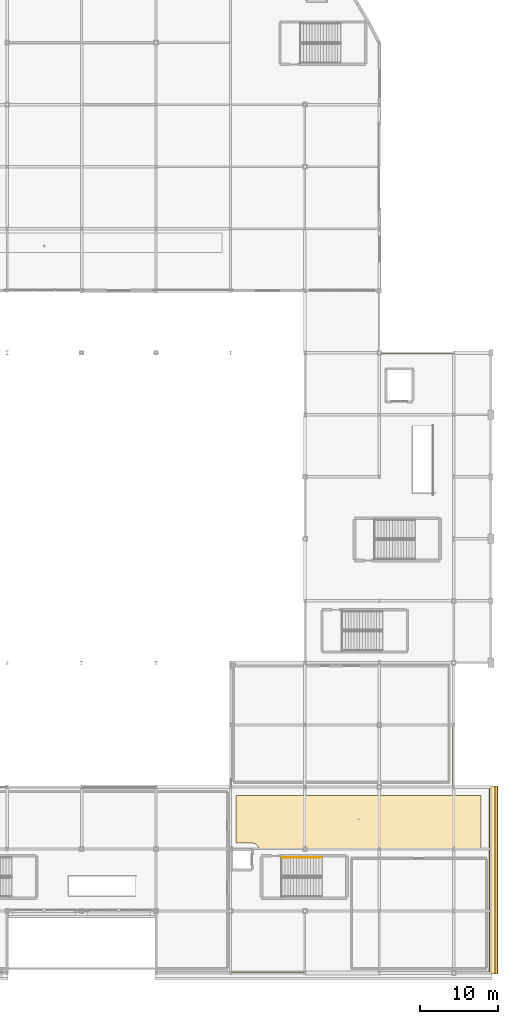
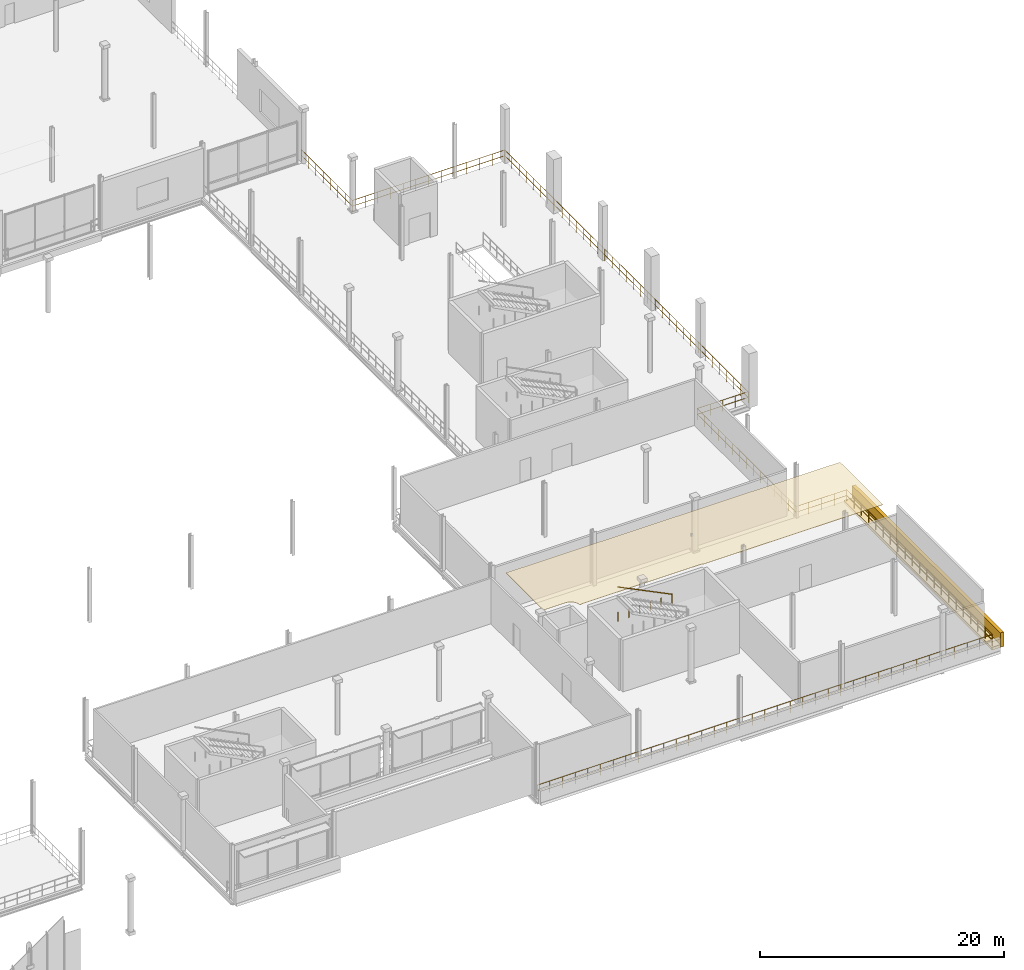
# One storey, part 121 of 129: 3 coverings, 2 railings.
"""IFC4 building model written with IfcOpenShell, lengths in metres."""

import ifcopenshell
import ifcopenshell.guid

model = None  # the IFC model being written
_history = None  # IfcOwnerHistory: only IFC2X3 demands one
_inside = {}  # id of a spatial element -> (the spatial element, [elements in it])
_under = {}  # id of a project, library or spatial element -> (it, [spatial elements below it])
_declared = {}  # id of a project -> (the project, [libraries it declares])
_typed = {}  # id of a type object -> (the type object, [elements of that type])
_made_of = {}  # id of a material, layer set ... -> (it, [elements and type objects made of it])


def new_model(schema):
    """Start an empty IFC model of exactly this schema.

    Asked for "IFC4X3", IfcOpenShell would pick the latest addendum, in which some entities
    have other attributes; the version numbers below select the first issue.
    IFC2X3 requires an IfcOwnerHistory on every rooted entity: one is made here for all.
    """
    global model, _history
    if schema == "IFC4X3":
        model = ifcopenshell.file(schema_version=(4, 3, 0, 0))
    else:
        model = ifcopenshell.file(schema=schema)
    _inside.clear()
    _under.clear()
    _declared.clear()
    _typed.clear()
    _made_of.clear()
    _history = None
    if model.schema == "IFC2X3":
        org = make("IfcOrganization", Name="unknown")
        user = make(
            "IfcPersonAndOrganization",
            ThePerson=make("IfcPerson", FamilyName="unknown"),
            TheOrganization=org,
        )
        app = make(
            "IfcApplication",
            ApplicationDeveloper=org,
            Version="unknown",
            ApplicationFullName="unknown",
            ApplicationIdentifier="unknown",
        )
        _history = make(
            "IfcOwnerHistory",
            OwningUser=user,
            OwningApplication=app,
            ChangeAction="ADDED",
            CreationDate=0,
        )
    return model


def make(cls, **values):
    """One entity of the class cls with the attributes given. An attribute that is None is left unset."""
    return model.create_entity(
        cls, **{name: value for name, value in values.items() if value is not None}
    )


def rooted(cls, **values):
    """An entity with a GlobalId (a new one), such as an element, a storey or a relation."""
    return make(cls, GlobalId=ifcopenshell.guid.new(), OwnerHistory=_history, **values)


def si_unit(unit_type, name, prefix=None):
    """IfcSIUnit, for example si_unit("LENGTHUNIT", "METRE", prefix="MILLI")."""
    return make("IfcSIUnit", UnitType=unit_type, Prefix=prefix, Name=name)


def assignment(units):
    """IfcUnitAssignment: the units of a project."""
    return None if units is None else make("IfcUnitAssignment", Units=units)


def point(xyz):
    """IfcCartesianPoint."""
    return None if xyz is None else make("IfcCartesianPoint", Coordinates=xyz)


def direction(xyz):
    """IfcDirection."""
    return None if xyz is None else make("IfcDirection", DirectionRatios=xyz)


def frame(location, z_axis=None, x_axis=None):
    """IfcAxis2Placement3D, a coordinate frame: its origin and axes. An axis left out is left unset."""
    return make(
        "IfcAxis2Placement3D",
        Location=point(location),
        Axis=direction(z_axis),
        RefDirection=direction(x_axis),
    )


def frame_2d(location, x_axis=None):
    """IfcAxis2Placement2D, a coordinate frame in the plane: its origin and x axis."""
    return make(
        "IfcAxis2Placement2D", Location=point(location), RefDirection=direction(x_axis)
    )


def origin():
    """The frame at (0, 0, 0) with its axes left unset."""
    return frame((0.0, 0.0, 0.0))


def origin_2d():
    """The frame at (0, 0) in the plane with its x axis left unset."""
    return frame_2d((0.0, 0.0))


def place(relative_to, where):
    """IfcLocalPlacement: puts the frame where relative to a parent placement (None: the world)."""
    return make(
        "IfcLocalPlacement", PlacementRelTo=relative_to, RelativePlacement=where
    )


def context(
    kind, dimensions, precision=None, world=None, true_north=None, identifier=None
):
    """IfcGeometricRepresentationContext, for example the 3D "Model" context."""
    return make(
        "IfcGeometricRepresentationContext",
        ContextIdentifier=identifier,
        ContextType=kind,
        CoordinateSpaceDimension=dimensions,
        Precision=precision,
        WorldCoordinateSystem=world,
        TrueNorth=true_north,
    )


def subcontext(parent, identifier, kind, view, scale=None):
    """IfcGeometricRepresentationSubContext, for example "Body" below "Model"."""
    return make(
        "IfcGeometricRepresentationSubContext",
        ContextIdentifier=identifier,
        ContextType=kind,
        ParentContext=parent,
        TargetScale=scale,
        TargetView=view,
    )


def project(units=None, contexts=None):
    """IfcProject with its units and contexts."""
    return rooted(
        "IfcProject",
        Name="project",
        RepresentationContexts=contexts,
        UnitsInContext=assignment(units),
    )


def spatial(cls, under=None, at=None, **own):
    """A site, building, storey or space (cls), placed at a placement, below another one or the project."""
    s = rooted(cls, ObjectPlacement=at, **own)
    if under is not None:
        _under.setdefault(under.id(), (under, []))[1].append(s)
    return s


def polyline(points):
    """IfcPolyline through the points."""
    return make("IfcPolyline", Points=[point(p) for p in points])


def profile(cls, at=None, kind="AREA", **sizes):
    """A parametric profile (cls). Its sizes go by their IFC names, for example OverallWidth=200.0."""
    return make(cls, ProfileType=kind, Position=at, **sizes)


def rectangle(**sizes):
    """IfcRectangleProfileDef."""
    return profile("IfcRectangleProfileDef", **sizes)


def circle(**sizes):
    """IfcCircleProfileDef."""
    return profile("IfcCircleProfileDef", **sizes)


def outline(outer, holes=None, kind="AREA"):
    """IfcArbitraryClosedProfileDef: a profile drawn as a closed curve; with holes, ...WithVoids."""
    if holes is None:
        return make("IfcArbitraryClosedProfileDef", ProfileType=kind, OuterCurve=outer)
    return make(
        "IfcArbitraryProfileDefWithVoids",
        ProfileType=kind,
        OuterCurve=outer,
        InnerCurves=holes,
    )


def extrude(swept, where, along, depth):
    """IfcExtrudedAreaSolid: the profile swept, set in the frame where, extruded along a direction by depth."""
    return make(
        "IfcExtrudedAreaSolid",
        SweptArea=swept,
        Position=where,
        ExtrudedDirection=direction(along),
        Depth=depth,
    )


def shape(context_of_items, identifier, shape_type, items):
    """IfcShapeRepresentation: the items that make up one representation, for example the "Body"."""
    return make(
        "IfcShapeRepresentation",
        ContextOfItems=context_of_items,
        RepresentationIdentifier=identifier,
        RepresentationType=shape_type,
        Items=items,
    )


def material(Name=None, Category=None):
    """IfcMaterial."""
    return make("IfcMaterial", Name=Name, Category=Category)


def layer(
    of_material, thickness, ventilated=None, Name=None, Category=None, Priority=None
):
    """IfcMaterialLayer: one layer of a wall or slab, of a material (None: an air gap)."""
    return make(
        "IfcMaterialLayer",
        Material=of_material,
        LayerThickness=thickness,
        IsVentilated=ventilated,
        Name=Name,
        Category=Category,
        Priority=Priority,
    )


def layer_set(layers, Name=None):
    """IfcMaterialLayerSet."""
    return make("IfcMaterialLayerSet", MaterialLayers=layers, LayerSetName=Name)


def made_of(thing, what):
    """Note that an element or type object is made of a material, layer set ...; save() writes the relation."""
    if what is not None:
        _made_of.setdefault(what.id(), (what, []))[1].append(thing)
    return thing


def type_object(cls, material=None, **own):
    """A type object (cls), such as IfcWallType, which elements share."""
    return made_of(rooted(cls, **own), material)


def element(
    cls,
    number,
    at=None,
    inside=None,
    cuts=None,
    type_object=None,
    material=None,
    context=None,
    identifier="Body",
    shape_type=None,
    held_by="IfcProductDefinitionShape",
    body=None,
    shapes=None,
    **own,
):
    """One element of the class cls, such as IfcWall. Its Tag is "e" and its number.

    at: its placement. inside: the storey or other place that contains it. cuts: it is an
    opening in that element (IfcRelVoidsElement). A single representation is given by context,
    identifier, shape_type and body (its items); several are given by shapes. held_by: the class
    of the entity that holds the representations. save() writes the other relations.
    """
    e = rooted(cls, Tag="e%d" % number, ObjectPlacement=at, **own)
    if body is not None:
        shapes = [shape(context, identifier, shape_type, body)]
    if shapes is not None:
        e.Representation = make(held_by, Representations=shapes)
    if inside is not None:
        _inside.setdefault(inside.id(), (inside, []))[1].append(e)
    if cuts is not None:
        rooted(
            "IfcRelVoidsElement", RelatingBuildingElement=cuts, RelatedOpeningElement=e
        )
    if type_object is not None:
        _typed.setdefault(type_object.id(), (type_object, []))[1].append(e)
    return made_of(e, material)


def aggregate(whole, parts):
    """IfcRelAggregates: a whole, such as a stair, and the parts it consists of."""
    return rooted("IfcRelAggregates", RelatingObject=whole, RelatedObjects=parts)


def save(model, path):
    """Write the relations noted so far, then the file.

    IfcRelAggregates (storeys below a building ...), IfcRelContainedInSpatialStructure (elements
    in a storey), IfcRelDefinesByType, IfcRelAssociatesMaterial and IfcRelDeclares: one each for
    every whole, place, type object, material and project.
    """
    for whole, parts in _under.values():
        aggregate(whole, parts)
    for where, things in _inside.values():
        rooted(
            "IfcRelContainedInSpatialStructure",
            RelatedElements=things,
            RelatingStructure=where,
        )
    for kind, things in _typed.values():
        rooted("IfcRelDefinesByType", RelatedObjects=things, RelatingType=kind)
    for what, things in _made_of.values():
        rooted("IfcRelAssociatesMaterial", RelatedObjects=things, RelatingMaterial=what)
    for by, libraries in _declared.values():
        rooted("IfcRelDeclares", RelatingContext=by, RelatedDefinitions=libraries)
    model.write(path)


model = new_model("IFC4")

# Units and contexts
model_context = context("Model", 3, precision=1e-05, world=origin(), true_north=direction((0.0, 1.0)))
body_context = subcontext(model_context, "Body", "Model", "MODEL_VIEW")
ifc_project = project(units=[si_unit("LENGTHUNIT", "METRE"), si_unit("AREAUNIT", "SQUARE_METRE"), si_unit("VOLUMEUNIT", "CUBIC_METRE"), si_unit("PLANEANGLEUNIT", "RADIAN"), si_unit("MASSUNIT", "GRAM", prefix="KILO")], contexts=[model_context])

# Site, building, storey
site_placement = place(None, origin())
site = spatial("IfcSite", under=ifc_project, at=site_placement, CompositionType="ELEMENT")
building_placement = place(site_placement, origin())
building = spatial("IfcBuilding", under=site, at=building_placement, Name="Danafjord Basin Convention Centre", CompositionType="ELEMENT")
storey_placement = place(building_placement, frame((0.0, 0.0, 6.0)))
storey = spatial("IfcBuildingStorey", under=building, at=storey_placement, Name="L01", CompositionType="ELEMENT", Elevation=6.0)

# Coverings
ifc_material_1 = material(Name="Architectural white precast concrete C45/55", Category="concrete")
ifc_layer_1 = layer(ifc_material_1, 0.320068359375)
ifc_layer_set_1 = layer_set([ifc_layer_1], Name="Architectural white precast concrete C45/55")
covering_type_1 = type_object("IfcCoveringType", Name="COV-BAND-HORIZ", PredefinedType="CLADDING", material=ifc_layer_set_1)
covering_1_placement = place(storey_placement, frame((216.324951171875, 12.0, -0.27978515625), z_axis=(0.0, 0.0, 1.0), x_axis=(0.0, 1.0, 0.0)))
element("IfcCovering", 1, at=covering_1_placement, inside=storey, type_object=covering_type_1, Name="L01 stepped horizontal band soffit plate 62", PredefinedType="CLADDING", context=body_context, shape_type="SweptSolid", body=[
    extrude(rectangle(XDim=24.239990234375, YDim=1.14990234375, at=origin_2d()), origin(), (0.0, 0.0, 1.0), 0.280029296875),
])
covering_2_placement = place(storey_placement, frame((216.7099609375, 12.0, -0.239990234375), z_axis=(0.0, 0.0, 1.0), x_axis=(0.0, 1.0, 0.0)))
element("IfcCovering", 2, at=covering_2_placement, inside=storey, type_object=covering_type_1, Name="L01 layered horizontal white spandrel band 62", PredefinedType="CLADDING", context=body_context, shape_type="SweptSolid", body=[
    extrude(rectangle(XDim=24.280029296875, YDim=0.320068359375, at=origin_2d()), origin(), (0.0, 0.0, 1.0), 1.419921875),
])
ifc_material_2 = material(Name="Perforated Nordic birch acoustic slats")
ifc_layer_2 = layer(ifc_material_2, 0.0400390625)
ifc_layer_set_2 = layer_set([ifc_layer_2], Name="Perforated Nordic birch acoustic slats")
covering_type_2 = type_object("IfcCoveringType", Name="COV-CLG-AC01", PredefinedType="CEILING", material=ifc_layer_set_2)
covering_3_placement = place(storey_placement, frame((0.0, 0.0, 4.889892578125)))
element("IfcCovering", 3, at=covering_3_placement, inside=storey, type_object=covering_type_2, Name="Level 1 East Pavilion Foyer acoustic ceiling", PredefinedType="CEILING", context=body_context, shape_type="SweptSolid", body=[
    extrude(outline(polyline([(183.10009765625, 22.89990234375), (214.699951171875, 22.89990234375), (214.699951171875, 15.89990234375), (197.77587890625, 15.89990234375), (197.721923828125, 15.922119140625), (197.70703125, 15.927001953125), (197.666015625, 15.93896484375), (197.65087890625, 15.943115234375), (197.56396484375, 15.9609375), (197.549072265625, 15.962890625), (197.5, 15.968017578125), (197.48388671875, 15.968994140625), (197.43994140625, 15.969970703125), (186.39990234375, 15.969970703125), (186.35595703125, 15.968994140625), (186.340087890625, 15.968017578125), (186.291015625, 15.962890625), (186.27587890625, 15.9609375), (186.18896484375, 15.943115234375), (186.174072265625, 15.93896484375), (186.133056640625, 15.927001953125), (186.117919921875, 15.922119140625), (186.06396484375, 15.89990234375), (186.06005859375, 15.89990234375), (186.05908203125, 15.944091796875), (186.05810546875, 15.9599609375), (186.052978515625, 16.009033203125), (186.051025390625, 16.02392578125), (186.032958984375, 16.111083984375), (186.029052734375, 16.1259765625), (186.01708984375, 16.1669921875), (186.011962890625, 16.181884765625), (185.97412109375, 16.27392578125), (185.967041015625, 16.2880859375), (185.948974609375, 16.322021484375), (185.94091796875, 16.3359375), (185.908935546875, 16.386962890625), (185.89990234375, 16.39990234375), (185.861083984375, 16.450927734375), (185.819091796875, 16.4970703125), (185.80810546875, 16.508056640625), (185.797119140625, 16.51904296875), (185.7509765625, 16.56103515625), (185.699951171875, 16.60009765625), (185.68701171875, 16.60888671875), (185.635986328125, 16.64111328125), (185.6220703125, 16.64892578125), (185.587890625, 16.6669921875), (185.573974609375, 16.674072265625), (185.48193359375, 16.7119140625), (185.467041015625, 16.717041015625), (185.426025390625, 16.72900390625), (185.410888671875, 16.73291015625), (185.323974609375, 16.7509765625), (185.30908203125, 16.7529296875), (185.260009765625, 16.758056640625), (185.243896484375, 16.759033203125), (185.199951171875, 16.760009765625), (183.10009765625, 16.760009765625), (183.10009765625, 22.89990234375)])), origin(), (0.0, 0.0, 1.0), 0.0400390625),
])

# Railings
ifc_material_3 = material(Name="Laminated structural glass and stainless steel", Category="steel")
railing_type_1 = type_object("IfcRailingType", Name="RL-BAL-GLS", PredefinedType="BALUSTRADE", material=ifc_material_3)
railing_1_placement = place(storey_placement, frame((201.52001953125, 88.280029296875, 0.0)))
element("IfcRailing", 4, at=railing_1_placement, inside=storey, type_object=railing_type_1, Name="L01 safety guard balustrade 16", PredefinedType="BALUSTRADE", context=body_context, shape_type="SweptSolid", body=[
    extrude(circle(Radius=0.02392578125, at=origin_2d()), frame((0.0, 0.0, 1.1259765625), z_axis=(0.0, -1.0, 0.0), x_axis=(1.0, 0.0, 0.0)), (0.0, 0.0, 1.0), 8.360107421875),
    extrude(circle(Radius=0.02392578125, at=origin_2d()), frame((0.0, 0.0, 0.55078125), z_axis=(0.0, -1.0, 0.0), x_axis=(1.0, 0.0, 0.0)), (0.0, 0.0, 1.0), 8.360107421875),
    extrude(circle(Radius=0.02392578125, at=origin_2d()), frame((0.0, -8.360107421875, 1.1259765625), z_axis=(1.0, 0.0, 0.0), x_axis=(0.0, 1.0, 0.0)), (0.0, 0.0, 1.0), 14.39990234375),
    extrude(circle(Radius=0.02392578125, at=origin_2d()), frame((0.0, -8.360107421875, 0.55078125), z_axis=(1.0, 0.0, 0.0), x_axis=(0.0, 1.0, 0.0)), (0.0, 0.0, 1.0), 14.39990234375),
    extrude(circle(Radius=0.02392578125, at=origin_2d()), frame((14.39990234375, -8.360107421875, 1.1259765625), z_axis=(0.0, -1.0, 0.0), x_axis=(1.0, 0.0, 0.0)), (0.0, 0.0, 1.0), 39.83984375),
    extrude(circle(Radius=0.02392578125, at=origin_2d()), frame((14.39990234375, -8.360107421875, 0.55078125), z_axis=(0.0, -1.0, 0.0), x_axis=(1.0, 0.0, 0.0)), (0.0, 0.0, 1.0), 39.83984375),
    extrude(circle(Radius=0.02392578125, at=origin_2d()), frame((14.39990234375, -48.199951171875, 1.1259765625), z_axis=(-1.0, 0.0, 0.0), x_axis=(0.0, -1.0, 0.0)), (0.0, 0.0, 1.0), 4.7998046875),
    extrude(circle(Radius=0.02392578125, at=origin_2d()), frame((14.39990234375, -48.199951171875, 0.55078125), z_axis=(-1.0, 0.0, 0.0), x_axis=(0.0, -1.0, 0.0)), (0.0, 0.0, 1.0), 4.7998046875),
    extrude(circle(Radius=0.02392578125, at=origin_2d()), frame((9.60009765625, -48.199951171875, 1.1259765625), z_axis=(0.0, -1.0, 0.0), x_axis=(1.0, 0.0, 0.0)), (0.0, 0.0, 1.0), 16.16015625),
    extrude(circle(Radius=0.02392578125, at=origin_2d()), frame((9.60009765625, -48.199951171875, 0.55078125), z_axis=(0.0, -1.0, 0.0), x_axis=(1.0, 0.0, 0.0)), (0.0, 0.0, 1.0), 16.16015625),
    extrude(circle(Radius=0.02392578125, at=origin_2d()), frame((9.60009765625, -64.360107421875, 1.1259765625), z_axis=(1.0, 0.0, 0.0), x_axis=(0.0, 1.0, 0.0)), (0.0, 0.0, 1.0), 4.7998046875),
    extrude(circle(Radius=0.02392578125, at=origin_2d()), frame((9.60009765625, -64.360107421875, 0.55078125), z_axis=(1.0, 0.0, 0.0), x_axis=(0.0, 1.0, 0.0)), (0.0, 0.0, 1.0), 4.7998046875),
    extrude(circle(Radius=0.02392578125, at=origin_2d()), frame((14.39990234375, -64.360107421875, 1.1259765625), z_axis=(0.0, -1.0, 0.0), x_axis=(1.0, 0.0, 0.0)), (0.0, 0.0, 1.0), 23.83984375),
    extrude(circle(Radius=0.02392578125, at=origin_2d()), frame((14.39990234375, -64.360107421875, 0.55078125), z_axis=(0.0, -1.0, 0.0), x_axis=(1.0, 0.0, 0.0)), (0.0, 0.0, 1.0), 23.83984375),
    extrude(circle(Radius=0.02392578125, at=origin_2d()), frame((14.39990234375, -88.199951171875, 1.1259765625), z_axis=(-1.0, 0.0, 0.0), x_axis=(0.0, -1.0, 0.0)), (0.0, 0.0, 1.0), 43.030029296875),
    extrude(circle(Radius=0.02392578125, at=origin_2d()), frame((14.39990234375, -88.199951171875, 0.55078125), z_axis=(-1.0, 0.0, 0.0), x_axis=(0.0, -1.0, 0.0)), (0.0, 0.0, 1.0), 43.030029296875),
    extrude(circle(Radius=0.02099609375, at=origin_2d()), origin(), (0.0, 0.0, 1.0), 1.099853515625),
    extrude(circle(Radius=0.02099609375, at=origin_2d()), frame((0.0, -1.1943359375, 0.0)), (0.0, 0.0, 1.0), 1.099853515625),
    extrude(circle(Radius=0.02099609375, at=origin_2d()), frame((0.0, -2.388671875, 0.0)), (0.0, 0.0, 1.0), 1.099853515625),
    extrude(circle(Radius=0.02099609375, at=origin_2d()), frame((0.0, -3.5830078125, 0.0)), (0.0, 0.0, 1.0), 1.099853515625),
    extrude(circle(Radius=0.02099609375, at=origin_2d()), frame((0.0, -4.777099609375, 0.0)), (0.0, 0.0, 1.0), 1.099853515625),
    extrude(circle(Radius=0.02099609375, at=origin_2d()), frame((0.0, -5.971435546875, 0.0)), (0.0, 0.0, 1.0), 1.099853515625),
    extrude(circle(Radius=0.02099609375, at=origin_2d()), frame((0.0, -7.165771484375, 0.0)), (0.0, 0.0, 1.0), 1.099853515625),
    extrude(circle(Radius=0.02099609375, at=origin_2d()), frame((0.0, -8.360107421875, 0.0)), (0.0, 0.0, 1.0), 1.099853515625),
    extrude(circle(Radius=0.02099609375, at=origin_2d()), frame((1.199951171875, -8.360107421875, 0.0)), (0.0, 0.0, 1.0), 1.099853515625),
    extrude(circle(Radius=0.02099609375, at=origin_2d()), frame((2.39990234375, -8.360107421875, 0.0)), (0.0, 0.0, 1.0), 1.099853515625),
    extrude(circle(Radius=0.02099609375, at=origin_2d()), frame((3.60009765625, -8.360107421875, 0.0)), (0.0, 0.0, 1.0), 1.099853515625),
    extrude(circle(Radius=0.02099609375, at=origin_2d()), frame((4.800048828125, -8.360107421875, 0.0)), (0.0, 0.0, 1.0), 1.099853515625),
    extrude(circle(Radius=0.02099609375, at=origin_2d()), frame((6.0, -8.360107421875, 0.0)), (0.0, 0.0, 1.0), 1.099853515625),
    extrude(circle(Radius=0.02099609375, at=origin_2d()), frame((7.199951171875, -8.360107421875, 0.0)), (0.0, 0.0, 1.0), 1.099853515625),
    extrude(circle(Radius=0.02099609375, at=origin_2d()), frame((8.39990234375, -8.360107421875, 0.0)), (0.0, 0.0, 1.0), 1.099853515625),
    extrude(circle(Radius=0.02099609375, at=origin_2d()), frame((9.599853515625, -8.360107421875, 0.0)), (0.0, 0.0, 1.0), 1.099853515625),
    extrude(circle(Radius=0.02099609375, at=origin_2d()), frame((10.7998046875, -8.360107421875, 0.0)), (0.0, 0.0, 1.0), 1.099853515625),
    extrude(circle(Radius=0.02099609375, at=origin_2d()), frame((12.0, -8.360107421875, 0.0)), (0.0, 0.0, 1.0), 1.099853515625),
    extrude(circle(Radius=0.02099609375, at=origin_2d()), frame((13.199951171875, -8.360107421875, 0.0)), (0.0, 0.0, 1.0), 1.099853515625),
    extrude(circle(Radius=0.02099609375, at=origin_2d()), frame((14.39990234375, -8.360107421875, 0.0)), (0.0, 0.0, 1.0), 1.099853515625),
    extrude(circle(Radius=0.02099609375, at=origin_2d()), frame((14.39990234375, -9.531982421875, 0.0)), (0.0, 0.0, 1.0), 1.099853515625),
    extrude(circle(Radius=0.02099609375, at=origin_2d()), frame((14.39990234375, -10.70361328125, 0.0)), (0.0, 0.0, 1.0), 1.099853515625),
    extrude(circle(Radius=0.02099609375, at=origin_2d()), frame((14.39990234375, -11.87548828125, 0.0)), (0.0, 0.0, 1.0), 1.099853515625),
    extrude(circle(Radius=0.02099609375, at=origin_2d()), frame((14.39990234375, -13.047119140625, 0.0)), (0.0, 0.0, 1.0), 1.099853515625),
    extrude(circle(Radius=0.02099609375, at=origin_2d()), frame((14.39990234375, -14.218994140625, 0.0)), (0.0, 0.0, 1.0), 1.099853515625),
    extrude(circle(Radius=0.02099609375, at=origin_2d()), frame((14.39990234375, -15.390625, 0.0)), (0.0, 0.0, 1.0), 1.099853515625),
    extrude(circle(Radius=0.02099609375, at=origin_2d()), frame((14.39990234375, -16.5625, 0.0)), (0.0, 0.0, 1.0), 1.099853515625),
    extrude(circle(Radius=0.02099609375, at=origin_2d()), frame((14.39990234375, -17.734130859375, 0.0)), (0.0, 0.0, 1.0), 1.099853515625),
    extrude(circle(Radius=0.02099609375, at=origin_2d()), frame((14.39990234375, -18.906005859375, 0.0)), (0.0, 0.0, 1.0), 1.099853515625),
    extrude(circle(Radius=0.02099609375, at=origin_2d()), frame((14.39990234375, -20.07763671875, 0.0)), (0.0, 0.0, 1.0), 1.099853515625),
    extrude(circle(Radius=0.02099609375, at=origin_2d()), frame((14.39990234375, -21.24951171875, 0.0)), (0.0, 0.0, 1.0), 1.099853515625),
    extrude(circle(Radius=0.02099609375, at=origin_2d()), frame((14.39990234375, -22.421142578125, 0.0)), (0.0, 0.0, 1.0), 1.099853515625),
    extrude(circle(Radius=0.02099609375, at=origin_2d()), frame((14.39990234375, -23.593017578125, 0.0)), (0.0, 0.0, 1.0), 1.099853515625),
    extrude(circle(Radius=0.02099609375, at=origin_2d()), frame((14.39990234375, -24.7646484375, 0.0)), (0.0, 0.0, 1.0), 1.099853515625),
    extrude(circle(Radius=0.02099609375, at=origin_2d()), frame((14.39990234375, -25.9365234375, 0.0)), (0.0, 0.0, 1.0), 1.099853515625),
    extrude(circle(Radius=0.02099609375, at=origin_2d()), frame((14.39990234375, -27.108154296875, 0.0)), (0.0, 0.0, 1.0), 1.099853515625),
    extrude(circle(Radius=0.02099609375, at=origin_2d()), frame((14.39990234375, -28.280029296875, 0.0)), (0.0, 0.0, 1.0), 1.099853515625),
    extrude(circle(Radius=0.02099609375, at=origin_2d()), frame((14.39990234375, -29.451904296875, 0.0)), (0.0, 0.0, 1.0), 1.099853515625),
    extrude(circle(Radius=0.02099609375, at=origin_2d()), frame((14.39990234375, -30.62353515625, 0.0)), (0.0, 0.0, 1.0), 1.099853515625),
    extrude(circle(Radius=0.02099609375, at=origin_2d()), frame((14.39990234375, -31.79541015625, 0.0)), (0.0, 0.0, 1.0), 1.099853515625),
    extrude(circle(Radius=0.02099609375, at=origin_2d()), frame((14.39990234375, -32.967041015625, 0.0)), (0.0, 0.0, 1.0), 1.099853515625),
    extrude(circle(Radius=0.02099609375, at=origin_2d()), frame((14.39990234375, -34.138916015625, 0.0)), (0.0, 0.0, 1.0), 1.099853515625),
    extrude(circle(Radius=0.02099609375, at=origin_2d()), frame((14.39990234375, -35.310546875, 0.0)), (0.0, 0.0, 1.0), 1.099853515625),
    extrude(circle(Radius=0.02099609375, at=origin_2d()), frame((14.39990234375, -36.482421875, 0.0)), (0.0, 0.0, 1.0), 1.099853515625),
    extrude(circle(Radius=0.02099609375, at=origin_2d()), frame((14.39990234375, -37.654052734375, 0.0)), (0.0, 0.0, 1.0), 1.099853515625),
    extrude(circle(Radius=0.02099609375, at=origin_2d()), frame((14.39990234375, -38.825927734375, 0.0)), (0.0, 0.0, 1.0), 1.099853515625),
    extrude(circle(Radius=0.02099609375, at=origin_2d()), frame((14.39990234375, -39.99755859375, 0.0)), (0.0, 0.0, 1.0), 1.099853515625),
    extrude(circle(Radius=0.02099609375, at=origin_2d()), frame((14.39990234375, -41.16943359375, 0.0)), (0.0, 0.0, 1.0), 1.099853515625),
    extrude(circle(Radius=0.02099609375, at=origin_2d()), frame((14.39990234375, -42.341064453125, 0.0)), (0.0, 0.0, 1.0), 1.099853515625),
    extrude(circle(Radius=0.02099609375, at=origin_2d()), frame((14.39990234375, -43.512939453125, 0.0)), (0.0, 0.0, 1.0), 1.099853515625),
    extrude(circle(Radius=0.02099609375, at=origin_2d()), frame((14.39990234375, -44.6845703125, 0.0)), (0.0, 0.0, 1.0), 1.099853515625),
    extrude(circle(Radius=0.02099609375, at=origin_2d()), frame((14.39990234375, -45.8564453125, 0.0)), (0.0, 0.0, 1.0), 1.099853515625),
    extrude(circle(Radius=0.02099609375, at=origin_2d()), frame((14.39990234375, -47.028076171875, 0.0)), (0.0, 0.0, 1.0), 1.099853515625),
    extrude(circle(Radius=0.02099609375, at=origin_2d()), frame((14.39990234375, -48.199951171875, 0.0)), (0.0, 0.0, 1.0), 1.099853515625),
    extrude(circle(Radius=0.02099609375, at=origin_2d()), frame((13.199951171875, -48.199951171875, 0.0)), (0.0, 0.0, 1.0), 1.099853515625),
    extrude(circle(Radius=0.02099609375, at=origin_2d()), frame((12.0, -48.199951171875, 0.0)), (0.0, 0.0, 1.0), 1.099853515625),
    extrude(circle(Radius=0.02099609375, at=origin_2d()), frame((10.800048828125, -48.199951171875, 0.0)), (0.0, 0.0, 1.0), 1.099853515625),
    extrude(circle(Radius=0.02099609375, at=origin_2d()), frame((9.60009765625, -48.199951171875, 0.0)), (0.0, 0.0, 1.0), 1.099853515625),
    extrude(circle(Radius=0.02099609375, at=origin_2d()), frame((9.60009765625, -49.354248046875, 0.0)), (0.0, 0.0, 1.0), 1.099853515625),
    extrude(circle(Radius=0.02099609375, at=origin_2d()), frame((9.60009765625, -50.508544921875, 0.0)), (0.0, 0.0, 1.0), 1.099853515625),
    extrude(circle(Radius=0.02099609375, at=origin_2d()), frame((9.60009765625, -51.662841796875, 0.0)), (0.0, 0.0, 1.0), 1.099853515625),
    extrude(circle(Radius=0.02099609375, at=origin_2d()), frame((9.60009765625, -52.817138671875, 0.0)), (0.0, 0.0, 1.0), 1.099853515625),
    extrude(circle(Radius=0.02099609375, at=origin_2d()), frame((9.60009765625, -53.971435546875, 0.0)), (0.0, 0.0, 1.0), 1.099853515625),
    extrude(circle(Radius=0.02099609375, at=origin_2d()), frame((9.60009765625, -55.125732421875, 0.0)), (0.0, 0.0, 1.0), 1.099853515625),
    extrude(circle(Radius=0.02099609375, at=origin_2d()), frame((9.60009765625, -56.280029296875, 0.0)), (0.0, 0.0, 1.0), 1.099853515625),
    extrude(circle(Radius=0.02099609375, at=origin_2d()), frame((9.60009765625, -57.434326171875, 0.0)), (0.0, 0.0, 1.0), 1.099853515625),
    extrude(circle(Radius=0.02099609375, at=origin_2d()), frame((9.60009765625, -58.588623046875, 0.0)), (0.0, 0.0, 1.0), 1.099853515625),
    extrude(circle(Radius=0.02099609375, at=origin_2d()), frame((9.60009765625, -59.742919921875, 0.0)), (0.0, 0.0, 1.0), 1.099853515625),
    extrude(circle(Radius=0.02099609375, at=origin_2d()), frame((9.60009765625, -60.897216796875, 0.0)), (0.0, 0.0, 1.0), 1.099853515625),
    extrude(circle(Radius=0.02099609375, at=origin_2d()), frame((9.60009765625, -62.051513671875, 0.0)), (0.0, 0.0, 1.0), 1.099853515625),
    extrude(circle(Radius=0.02099609375, at=origin_2d()), frame((9.60009765625, -63.205810546875, 0.0)), (0.0, 0.0, 1.0), 1.099853515625),
    extrude(circle(Radius=0.02099609375, at=origin_2d()), frame((9.60009765625, -64.360107421875, 0.0)), (0.0, 0.0, 1.0), 1.099853515625),
    extrude(circle(Radius=0.02099609375, at=origin_2d()), frame((10.800048828125, -64.360107421875, 0.0)), (0.0, 0.0, 1.0), 1.099853515625),
    extrude(circle(Radius=0.02099609375, at=origin_2d()), frame((12.0, -64.360107421875, 0.0)), (0.0, 0.0, 1.0), 1.099853515625),
    extrude(circle(Radius=0.02099609375, at=origin_2d()), frame((13.199951171875, -64.360107421875, 0.0)), (0.0, 0.0, 1.0), 1.099853515625),
    extrude(circle(Radius=0.02099609375, at=origin_2d()), frame((14.39990234375, -64.360107421875, 0.0)), (0.0, 0.0, 1.0), 1.099853515625),
    extrude(circle(Radius=0.02099609375, at=origin_2d()), frame((14.39990234375, -65.552001953125, 0.0)), (0.0, 0.0, 1.0), 1.099853515625),
    extrude(circle(Radius=0.02099609375, at=origin_2d()), frame((14.39990234375, -66.744140625, 0.0)), (0.0, 0.0, 1.0), 1.099853515625),
    extrude(circle(Radius=0.02099609375, at=origin_2d()), frame((14.39990234375, -67.93603515625, 0.0)), (0.0, 0.0, 1.0), 1.099853515625),
    extrude(circle(Radius=0.02099609375, at=origin_2d()), frame((14.39990234375, -69.128173828125, 0.0)), (0.0, 0.0, 1.0), 1.099853515625),
    extrude(circle(Radius=0.02099609375, at=origin_2d()), frame((14.39990234375, -70.320068359375, 0.0)), (0.0, 0.0, 1.0), 1.099853515625),
    extrude(circle(Radius=0.02099609375, at=origin_2d()), frame((14.39990234375, -71.511962890625, 0.0)), (0.0, 0.0, 1.0), 1.099853515625),
    extrude(circle(Radius=0.02099609375, at=origin_2d()), frame((14.39990234375, -72.7041015625, 0.0)), (0.0, 0.0, 1.0), 1.099853515625),
    extrude(circle(Radius=0.02099609375, at=origin_2d()), frame((14.39990234375, -73.89599609375, 0.0)), (0.0, 0.0, 1.0), 1.099853515625),
    extrude(circle(Radius=0.02099609375, at=origin_2d()), frame((14.39990234375, -75.088134765625, 0.0)), (0.0, 0.0, 1.0), 1.099853515625),
    extrude(circle(Radius=0.02099609375, at=origin_2d()), frame((14.39990234375, -76.280029296875, 0.0)), (0.0, 0.0, 1.0), 1.099853515625),
    extrude(circle(Radius=0.02099609375, at=origin_2d()), frame((14.39990234375, -77.471923828125, 0.0)), (0.0, 0.0, 1.0), 1.099853515625),
    extrude(circle(Radius=0.02099609375, at=origin_2d()), frame((14.39990234375, -78.6640625, 0.0)), (0.0, 0.0, 1.0), 1.099853515625),
    extrude(circle(Radius=0.02099609375, at=origin_2d()), frame((14.39990234375, -79.85595703125, 0.0)), (0.0, 0.0, 1.0), 1.099853515625),
    extrude(circle(Radius=0.02099609375, at=origin_2d()), frame((14.39990234375, -81.048095703125, 0.0)), (0.0, 0.0, 1.0), 1.099853515625),
    extrude(circle(Radius=0.02099609375, at=origin_2d()), frame((14.39990234375, -82.239990234375, 0.0)), (0.0, 0.0, 1.0), 1.099853515625),
    extrude(circle(Radius=0.02099609375, at=origin_2d()), frame((14.39990234375, -83.431884765625, 0.0)), (0.0, 0.0, 1.0), 1.099853515625),
    extrude(circle(Radius=0.02099609375, at=origin_2d()), frame((14.39990234375, -84.6240234375, 0.0)), (0.0, 0.0, 1.0), 1.099853515625),
    extrude(circle(Radius=0.02099609375, at=origin_2d()), frame((14.39990234375, -85.81591796875, 0.0)), (0.0, 0.0, 1.0), 1.099853515625),
    extrude(circle(Radius=0.02099609375, at=origin_2d()), frame((14.39990234375, -87.008056640625, 0.0)), (0.0, 0.0, 1.0), 1.099853515625),
    extrude(circle(Radius=0.02099609375, at=origin_2d()), frame((14.39990234375, -88.199951171875, 0.0)), (0.0, 0.0, 1.0), 1.099853515625),
    extrude(circle(Radius=0.02099609375, at=origin_2d()), frame((13.20458984375, -88.199951171875, 0.0)), (0.0, 0.0, 1.0), 1.099853515625),
    extrude(circle(Radius=0.02099609375, at=origin_2d()), frame((12.00927734375, -88.199951171875, 0.0)), (0.0, 0.0, 1.0), 1.099853515625),
    extrude(circle(Radius=0.02099609375, at=origin_2d()), frame((10.81396484375, -88.199951171875, 0.0)), (0.0, 0.0, 1.0), 1.099853515625),
    extrude(circle(Radius=0.02099609375, at=origin_2d()), frame((9.618896484375, -88.199951171875, 0.0)), (0.0, 0.0, 1.0), 1.099853515625),
    extrude(circle(Radius=0.02099609375, at=origin_2d()), frame((8.423583984375, -88.199951171875, 0.0)), (0.0, 0.0, 1.0), 1.099853515625),
    extrude(circle(Radius=0.02099609375, at=origin_2d()), frame((7.228271484375, -88.199951171875, 0.0)), (0.0, 0.0, 1.0), 1.099853515625),
    extrude(circle(Radius=0.02099609375, at=origin_2d()), frame((6.032958984375, -88.199951171875, 0.0)), (0.0, 0.0, 1.0), 1.099853515625),
    extrude(circle(Radius=0.02099609375, at=origin_2d()), frame((4.837646484375, -88.199951171875, 0.0)), (0.0, 0.0, 1.0), 1.099853515625),
    extrude(circle(Radius=0.02099609375, at=origin_2d()), frame((3.642333984375, -88.199951171875, 0.0)), (0.0, 0.0, 1.0), 1.099853515625),
    extrude(circle(Radius=0.02099609375, at=origin_2d()), frame((2.447021484375, -88.199951171875, 0.0)), (0.0, 0.0, 1.0), 1.099853515625),
    extrude(circle(Radius=0.02099609375, at=origin_2d()), frame((1.251953125, -88.199951171875, 0.0)), (0.0, 0.0, 1.0), 1.099853515625),
    extrude(circle(Radius=0.02099609375, at=origin_2d()), frame((0.056640625, -88.199951171875, 0.0)), (0.0, 0.0, 1.0), 1.099853515625),
    extrude(circle(Radius=0.02099609375, at=origin_2d()), frame((-1.138671875, -88.199951171875, 0.0)), (0.0, 0.0, 1.0), 1.099853515625),
    extrude(circle(Radius=0.02099609375, at=origin_2d()), frame((-2.333984375, -88.199951171875, 0.0)), (0.0, 0.0, 1.0), 1.099853515625),
    extrude(circle(Radius=0.02099609375, at=origin_2d()), frame((-3.529296875, -88.199951171875, 0.0)), (0.0, 0.0, 1.0), 1.099853515625),
    extrude(circle(Radius=0.02099609375, at=origin_2d()), frame((-4.724609375, -88.199951171875, 0.0)), (0.0, 0.0, 1.0), 1.099853515625),
    extrude(circle(Radius=0.02099609375, at=origin_2d()), frame((-5.919921875, -88.199951171875, 0.0)), (0.0, 0.0, 1.0), 1.099853515625),
    extrude(circle(Radius=0.02099609375, at=origin_2d()), frame((-7.115234375, -88.199951171875, 0.0)), (0.0, 0.0, 1.0), 1.099853515625),
    extrude(circle(Radius=0.02099609375, at=origin_2d()), frame((-8.310302734375, -88.199951171875, 0.0)), (0.0, 0.0, 1.0), 1.099853515625),
    extrude(circle(Radius=0.02099609375, at=origin_2d()), frame((-9.505615234375, -88.199951171875, 0.0)), (0.0, 0.0, 1.0), 1.099853515625),
    extrude(circle(Radius=0.02099609375, at=origin_2d()), frame((-10.700927734375, -88.199951171875, 0.0)), (0.0, 0.0, 1.0), 1.099853515625),
    extrude(circle(Radius=0.02099609375, at=origin_2d()), frame((-11.896240234375, -88.199951171875, 0.0)), (0.0, 0.0, 1.0), 1.099853515625),
    extrude(circle(Radius=0.02099609375, at=origin_2d()), frame((-13.091552734375, -88.199951171875, 0.0)), (0.0, 0.0, 1.0), 1.099853515625),
    extrude(circle(Radius=0.02099609375, at=origin_2d()), frame((-14.286865234375, -88.199951171875, 0.0)), (0.0, 0.0, 1.0), 1.099853515625),
    extrude(circle(Radius=0.02099609375, at=origin_2d()), frame((-15.482177734375, -88.199951171875, 0.0)), (0.0, 0.0, 1.0), 1.099853515625),
    extrude(circle(Radius=0.02099609375, at=origin_2d()), frame((-16.67724609375, -88.199951171875, 0.0)), (0.0, 0.0, 1.0), 1.099853515625),
    extrude(circle(Radius=0.02099609375, at=origin_2d()), frame((-17.87255859375, -88.199951171875, 0.0)), (0.0, 0.0, 1.0), 1.099853515625),
    extrude(circle(Radius=0.02099609375, at=origin_2d()), frame((-19.06787109375, -88.199951171875, 0.0)), (0.0, 0.0, 1.0), 1.099853515625),
    extrude(circle(Radius=0.02099609375, at=origin_2d()), frame((-20.26318359375, -88.199951171875, 0.0)), (0.0, 0.0, 1.0), 1.099853515625),
    extrude(circle(Radius=0.02099609375, at=origin_2d()), frame((-21.45849609375, -88.199951171875, 0.0)), (0.0, 0.0, 1.0), 1.099853515625),
    extrude(circle(Radius=0.02099609375, at=origin_2d()), frame((-22.65380859375, -88.199951171875, 0.0)), (0.0, 0.0, 1.0), 1.099853515625),
    extrude(circle(Radius=0.02099609375, at=origin_2d()), frame((-23.84912109375, -88.199951171875, 0.0)), (0.0, 0.0, 1.0), 1.099853515625),
    extrude(circle(Radius=0.02099609375, at=origin_2d()), frame((-25.044189453125, -88.199951171875, 0.0)), (0.0, 0.0, 1.0), 1.099853515625),
    extrude(circle(Radius=0.02099609375, at=origin_2d()), frame((-26.239501953125, -88.199951171875, 0.0)), (0.0, 0.0, 1.0), 1.099853515625),
    extrude(circle(Radius=0.02099609375, at=origin_2d()), frame((-27.434814453125, -88.199951171875, 0.0)), (0.0, 0.0, 1.0), 1.099853515625),
    extrude(circle(Radius=0.02099609375, at=origin_2d()), frame((-28.630126953125, -88.199951171875, 0.0)), (0.0, 0.0, 1.0), 1.099853515625),
])
ifc_material_4 = material(Name="Brushed stainless steel EN 1.4404", Category="steel")
railing_type_2 = type_object("IfcRailingType", Name="RL-HR-STAIR", PredefinedType="HANDRAIL", material=ifc_material_4)
railing_2_placement = place(storey_placement, frame((194.18994140625, 14.89990234375, 2.8798828125)))
element("IfcRailing", 5, at=railing_2_placement, inside=storey, type_object=railing_type_2, Name="L01 ST-15 stair handrail 2", PredefinedType="HANDRAIL", context=body_context, shape_type="SweptSolid", body=[
    extrude(circle(Radius=0.02392578125, at=origin_2d()), frame((0.0, 0.0, 0.8759765625), z_axis=(-0.89686481642, 0.0, 0.442304760396), x_axis=(0.0, -1.0, 0.0)), (0.0, 0.0, 1.0), 5.697509765625),
    extrude(circle(Radius=0.02099609375, at=origin_2d()), origin(), (0.0, 0.0, 1.0), 0.849853515625),
    extrude(circle(Radius=0.02099609375, at=origin_2d()), frame((-1.02197265625, 0.0, 0.0)), (0.0, 0.0, 1.0), 0.849853515625),
    extrude(circle(Radius=0.02099609375, at=origin_2d()), frame((-2.0439453125, 0.0, 0.0)), (0.0, 0.0, 1.0), 0.849853515625),
    extrude(circle(Radius=0.02099609375, at=origin_2d()), frame((-3.06591796875, 0.0, 0.0)), (0.0, 0.0, 1.0), 0.849853515625),
    extrude(circle(Radius=0.02099609375, at=origin_2d()), frame((-4.087890625, 0.0, 0.0)), (0.0, 0.0, 1.0), 0.849853515625),
    extrude(circle(Radius=0.02099609375, at=origin_2d()), frame((-5.10986328125, 0.0, 0.0)), (0.0, 0.0, 1.0), 0.849853515625),
])

save(model, "model.ifc")
